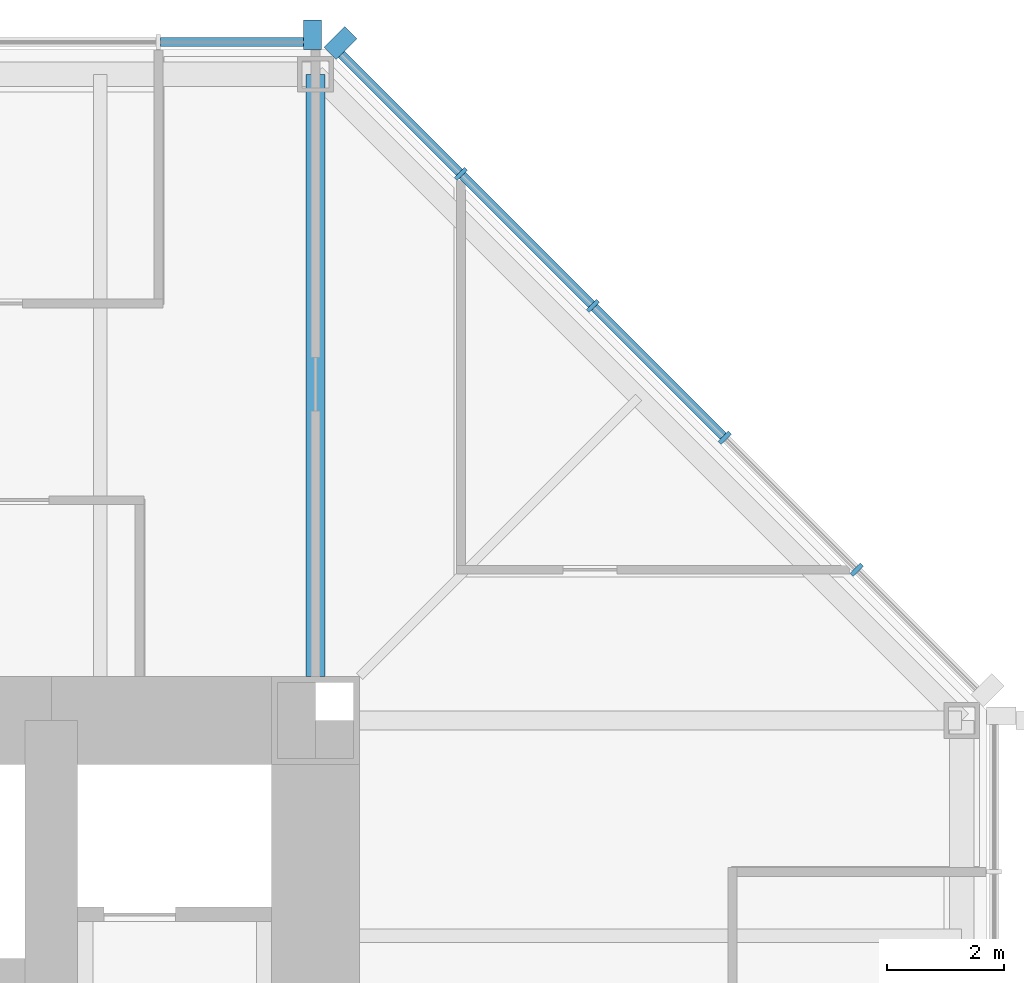
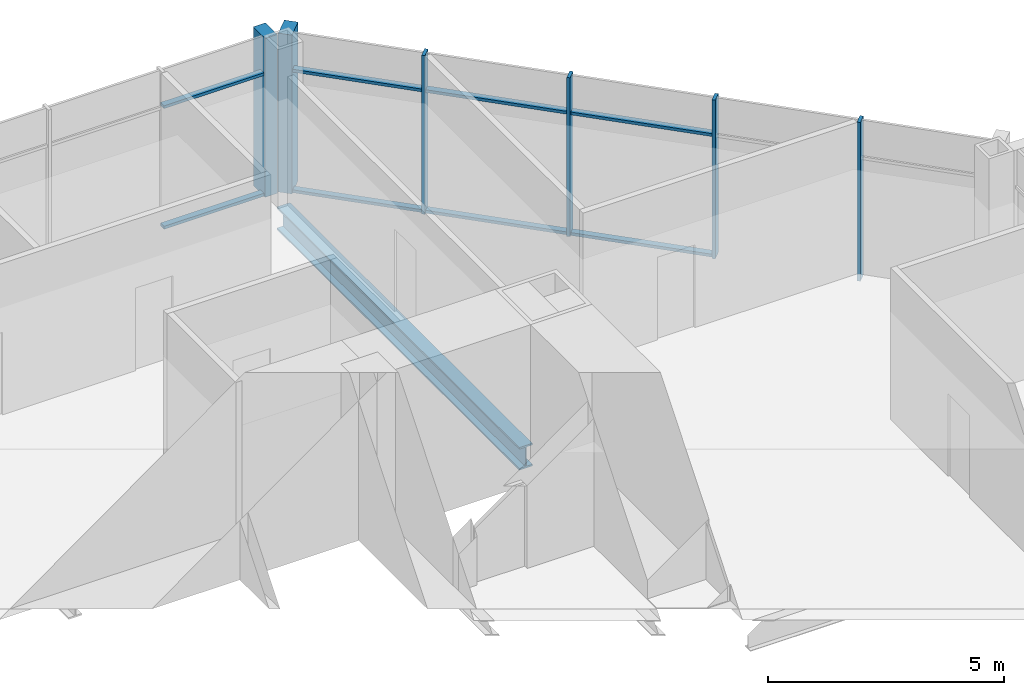
# One storey, part 6 of 12: 14 members, 1 beam, 2 elements without a shape of their own.
"""IFC4 building model written with IfcOpenShell, lengths in metres."""

from ifc_helpers import new_model, si_unit, direction, frame, origin, origin_2d, place, context, subcontext, project, spatial, rectangle, i_section, extrude, material, material_profile, profile_set, type_object, element, aggregate, save


model = new_model("IFC4")

# Units and contexts
model_context = context("Model", 3, precision=1e-05, world=origin(), true_north=direction((0.0, 1.0)))
body_context = subcontext(model_context, "Body", "Model", "MODEL_VIEW")
ifc_project = project(units=[si_unit("LENGTHUNIT", "METRE"), si_unit("AREAUNIT", "SQUARE_METRE"), si_unit("VOLUMEUNIT", "CUBIC_METRE"), si_unit("PLANEANGLEUNIT", "RADIAN"), si_unit("MASSUNIT", "GRAM", prefix="KILO")], contexts=[model_context])

# Site, building, storey
site_placement = place(None, origin())
site = spatial("IfcSite", under=ifc_project, at=site_placement, CompositionType="ELEMENT")
building_placement = place(site_placement, origin())
building = spatial("IfcBuilding", under=site, at=building_placement, Name="Trevanion Tower", CompositionType="ELEMENT")
storey_placement = place(building_placement, frame((0.0, 0.0, 166.39990234375)))
storey = spatial("IfcBuildingStorey", under=building, at=storey_placement, Name="L39", CompositionType="ELEMENT", Elevation=166.39990234375)

# Curtain wall, members
ifc_material_1 = material(Name="Aluminium and glass", Category="aluminium")
curtain_wall_type = type_object("IfcCurtainWallType", Name="CW2 curtain wall", PredefinedType="USERDEFINED", material=ifc_material_1)
curtain_wall_1_placement = place(storey_placement, origin())
curtain_wall_1 = element("IfcCurtainWall", 1, at=curtain_wall_1_placement, inside=storey, type_object=curtain_wall_type, Name="CW2 L39 1", ObjectType="UNITISED CURTAIN WALL", PredefinedType="USERDEFINED")
ifc_material_2 = material(Name="Aluminium extrusion, anodised bronze", Category="aluminium")
ifc_material_profile_1 = material_profile(ifc_material_2, rectangle(XDim=0.074951171875, YDim=0.25, at=origin_2d()), Name="CW2 mullion")
ifc_profile_set_1 = profile_set([ifc_material_profile_1], Name="Aluminium extrusion, anodised bronze")
member_type_1 = type_object("IfcMemberType", Name="CW2 mullion", PredefinedType="MULLION", material=ifc_profile_set_1)
member_1_placement = place(storey_placement, frame((20.2119140625, 13.56591796875, -0.18994140625), z_axis=(0.0, 0.0, 1.0), x_axis=(-0.707106781187, 0.707106781187, 0.0)))
member_1 = element("IfcMember", 2, at=member_1_placement, type_object=member_type_1, Name="CW2 mullion 2", PredefinedType="MULLION", context=body_context, shape_type="SweptSolid", body=[
    extrude(rectangle(XDim=0.074951171875, YDim=0.25, at=origin_2d()), origin(), (0.0, 0.0, 1.0), 4.10009765625),
])
member_2_placement = place(storey_placement, frame((17.966064453125, 15.811767578125, -0.18994140625), z_axis=(0.0, 0.0, 1.0), x_axis=(-0.707106781187, 0.707106781187, 0.0)))
member_2 = element("IfcMember", 3, at=member_2_placement, type_object=member_type_1, Name="CW2 mullion 3", PredefinedType="MULLION", context=body_context, shape_type="SweptSolid", body=[
    extrude(rectangle(XDim=0.074951171875, YDim=0.25, at=origin_2d()), origin(), (0.0, 0.0, 1.0), 4.10009765625),
])
member_3_placement = place(storey_placement, frame((15.719970703125, 18.057861328125, -0.18994140625), z_axis=(0.0, 0.0, 1.0), x_axis=(-0.707106781187, 0.707106781187, 0.0)))
member_3 = element("IfcMember", 4, at=member_3_placement, type_object=member_type_1, Name="CW2 mullion 4", PredefinedType="MULLION", context=body_context, shape_type="SweptSolid", body=[
    extrude(rectangle(XDim=0.074951171875, YDim=0.25, at=origin_2d()), origin(), (0.0, 0.0, 1.0), 4.10009765625),
])
member_4_placement = place(storey_placement, frame((13.473876953125, 20.303955078125, -0.18994140625), z_axis=(0.0, 0.0, 1.0), x_axis=(-0.707106781187, 0.707106781187, 0.0)))
member_4 = element("IfcMember", 5, at=member_4_placement, type_object=member_type_1, Name="CW2 mullion 5", PredefinedType="MULLION", context=body_context, shape_type="SweptSolid", body=[
    extrude(rectangle(XDim=0.074951171875, YDim=0.25, at=origin_2d()), origin(), (0.0, 0.0, 1.0), 4.10009765625),
])
ifc_material_3 = material(Name="Aluminium extrusion, anodised bronze", Category="aluminium")
ifc_material_profile_2 = material_profile(ifc_material_3, rectangle(XDim=0.300048828125, YDim=0.5, at=origin_2d()), Name="CW2 pier mullion")
ifc_profile_set_2 = profile_set([ifc_material_profile_2], Name="Aluminium extrusion, anodised bronze")
member_type_2 = type_object("IfcMemberType", Name="CW2 pier mullion", PredefinedType="MULLION", material=ifc_profile_set_2)
member_5_placement = place(storey_placement, frame((11.42236328125, 22.5322265625, -0.18994140625), z_axis=(0.0, 0.0, 1.0), x_axis=(-0.707106781187, 0.707106781187, 0.0)))
member_5 = element("IfcMember", 6, at=member_5_placement, type_object=member_type_2, Name="CW2 pier mullion 6", PredefinedType="MULLION", context=body_context, shape_type="SweptSolid", body=[
    extrude(rectangle(XDim=0.300048828125, YDim=0.5, at=origin_2d()), origin(), (0.0, 0.0, 1.0), 4.10009765625),
])

# Curtain wall, member
curtain_wall_2_placement = place(storey_placement, origin())
curtain_wall_2 = element("IfcCurtainWall", 7, at=curtain_wall_2_placement, inside=storey, type_object=curtain_wall_type, Name="CW2 L39 2", ObjectType="UNITISED CURTAIN WALL", PredefinedType="USERDEFINED")
member_6_placement = place(storey_placement, frame((10.94775390625, 22.675048828125, -0.18994140625), z_axis=(0.0, 0.0, 1.0), x_axis=(-1.0, 0.0, 0.0)))
member_6 = element("IfcMember", 8, at=member_6_placement, type_object=member_type_2, Name="CW2 pier mullion 1", PredefinedType="MULLION", context=body_context, shape_type="SweptSolid", body=[
    extrude(rectangle(XDim=0.300048828125, YDim=0.5, at=origin_2d()), origin(), (0.0, 0.0, 1.0), 4.10009765625),
])

# Member
ifc_material_4 = material(Name="Aluminium extrusion, anodised bronze", Category="aluminium")
ifc_material_profile_3 = material_profile(ifc_material_4, rectangle(XDim=0.14990234375, YDim=0.074951171875, at=origin_2d()), Name="CW2 transom")
ifc_profile_set_3 = profile_set([ifc_material_profile_3], Name="Aluminium extrusion, anodised bronze")
member_type_3 = type_object("IfcMemberType", Name="CW2 transom", PredefinedType="USERDEFINED", material=ifc_profile_set_3)
member_7_placement = place(storey_placement, frame((17.939453125, 15.83837890625, -0.15234375), z_axis=(-0.707106781187, 0.707106781187, 0.0), x_axis=(-0.707106781187, -0.707106781187, 0.0)))
member_7 = element("IfcMember", 9, at=member_7_placement, type_object=member_type_3, Name="CW2 transom 3.1", ObjectType="TRANSOM", PredefinedType="USERDEFINED", context=body_context, shape_type="SweptSolid", body=[
    extrude(rectangle(XDim=0.14990234375, YDim=0.074951171875, at=origin_2d()), origin(), (0.0, 0.0, 1.0), 3.1015625),
])

member_8_placement = place(storey_placement, frame((17.939453125, 15.83837890625, 2.960205078125), z_axis=(-0.707106781187, 0.707106781187, 0.0), x_axis=(-0.707106781187, -0.707106781187, 0.0)))
member_8 = element("IfcMember", 10, at=member_8_placement, type_object=member_type_3, Name="CW2 transom 3.2", ObjectType="TRANSOM", PredefinedType="USERDEFINED", context=body_context, shape_type="SweptSolid", body=[
    extrude(rectangle(XDim=0.14990234375, YDim=0.074951171875, at=origin_2d()), origin(), (0.0, 0.0, 1.0), 3.1015625),
])

member_9_placement = place(storey_placement, frame((15.693359375, 18.08447265625, -0.15234375), z_axis=(-0.707106781187, 0.707106781187, 0.0), x_axis=(-0.707106781187, -0.707106781187, 0.0)))
member_9 = element("IfcMember", 11, at=member_9_placement, type_object=member_type_3, Name="CW2 transom 4.1", ObjectType="TRANSOM", PredefinedType="USERDEFINED", context=body_context, shape_type="SweptSolid", body=[
    extrude(rectangle(XDim=0.14990234375, YDim=0.074951171875, at=origin_2d()), origin(), (0.0, 0.0, 1.0), 3.10107421875),
])

member_10_placement = place(storey_placement, frame((15.693359375, 18.08447265625, 2.960205078125), z_axis=(-0.707106781187, 0.707106781187, 0.0), x_axis=(-0.707106781187, -0.707106781187, 0.0)))
member_10 = element("IfcMember", 12, at=member_10_placement, type_object=member_type_3, Name="CW2 transom 4.2", ObjectType="TRANSOM", PredefinedType="USERDEFINED", context=body_context, shape_type="SweptSolid", body=[
    extrude(rectangle(XDim=0.14990234375, YDim=0.074951171875, at=origin_2d()), origin(), (0.0, 0.0, 1.0), 3.10107421875),
])

member_11_placement = place(storey_placement, frame((13.447509765625, 20.33056640625, -0.15234375), z_axis=(-0.707149778163, 0.707063781595, 0.0), x_axis=(-0.707063781595, -0.707149778163, 0.0)))
member_11 = element("IfcMember", 13, at=member_11_placement, type_object=member_type_3, Name="CW2 transom 5.1", ObjectType="TRANSOM", PredefinedType="USERDEFINED", context=body_context, shape_type="SweptSolid", body=[
    extrude(rectangle(XDim=0.14990234375, YDim=0.074951171875, at=origin_2d()), origin(), (0.0, 0.0, 1.0), 2.8388671875),
])

member_12_placement = place(storey_placement, frame((13.447509765625, 20.33056640625, 2.960205078125), z_axis=(-0.707149778163, 0.707063781595, 0.0), x_axis=(-0.707063781595, -0.707149778163, 0.0)))
member_12 = element("IfcMember", 14, at=member_12_placement, type_object=member_type_3, Name="CW2 transom 5.2", ObjectType="TRANSOM", PredefinedType="USERDEFINED", context=body_context, shape_type="SweptSolid", body=[
    extrude(rectangle(XDim=0.14990234375, YDim=0.074951171875, at=origin_2d()), origin(), (0.0, 0.0, 1.0), 2.8388671875),
])

aggregate(curtain_wall_1, [member_1, member_2, member_3, member_4, member_5, member_7, member_8, member_9, member_10, member_11, member_12])

member_13_placement = place(storey_placement, frame((10.7978515625, 22.550048828125, -0.15234375), z_axis=(-1.0, 0.0, 0.0), x_axis=(0.0, -1.0, 0.0)))
member_13 = element("IfcMember", 15, at=member_13_placement, type_object=member_type_3, Name="CW2 transom 1.1", ObjectType="TRANSOM", PredefinedType="USERDEFINED", context=body_context, shape_type="SweptSolid", body=[
    extrude(rectangle(XDim=0.14990234375, YDim=0.074951171875, at=origin_2d()), origin(), (0.0, 0.0, 1.0), 2.43701171875),
])

member_14_placement = place(storey_placement, frame((10.7978515625, 22.550048828125, 2.960205078125), z_axis=(-1.0, 0.0, 0.0), x_axis=(0.0, -1.0, 0.0)))
member_14 = element("IfcMember", 16, at=member_14_placement, type_object=member_type_3, Name="CW2 transom 1.2", ObjectType="TRANSOM", PredefinedType="USERDEFINED", context=body_context, shape_type="SweptSolid", body=[
    extrude(rectangle(XDim=0.14990234375, YDim=0.074951171875, at=origin_2d()), origin(), (0.0, 0.0, 1.0), 2.43701171875),
])

aggregate(curtain_wall_2, [member_6, member_13, member_14])

# Beam
ifc_material_5 = material(Name="Steel ASTM A992 Grade 50", Category="steel")
ifc_material_profile_4 = material_profile(ifc_material_5, i_section(OverallWidth=0.320068359375, OverallDepth=0.584228515625, WebThickness=0.023193359375, FlangeThickness=0.04150390625, at=origin_2d()), Name="W21X201")
ifc_profile_set_4 = profile_set([ifc_material_profile_4], Name="Steel ASTM A992 Grade 50")
beam_type = type_object("IfcBeamType", Name="G4 W21X201", PredefinedType="BEAM", material=ifc_profile_set_4)
beam_placement = place(storey_placement, frame((11.0, 11.75, -0.48193359375), z_axis=(0.0, 1.0, 0.0), x_axis=(-1.0, 0.0, 0.0)))
element("IfcBeam", 17, at=beam_placement, inside=storey, type_object=beam_type, Name="G4 L39", PredefinedType="BEAM", context=body_context, shape_type="SweptSolid", body=[
    extrude(i_section(OverallWidth=0.320068359375, OverallDepth=0.584228515625, WebThickness=0.023193359375, FlangeThickness=0.04150390625, at=origin_2d()), origin(), (0.0, 0.0, 1.0), 10.25),
])

save(model, "model.ifc")
